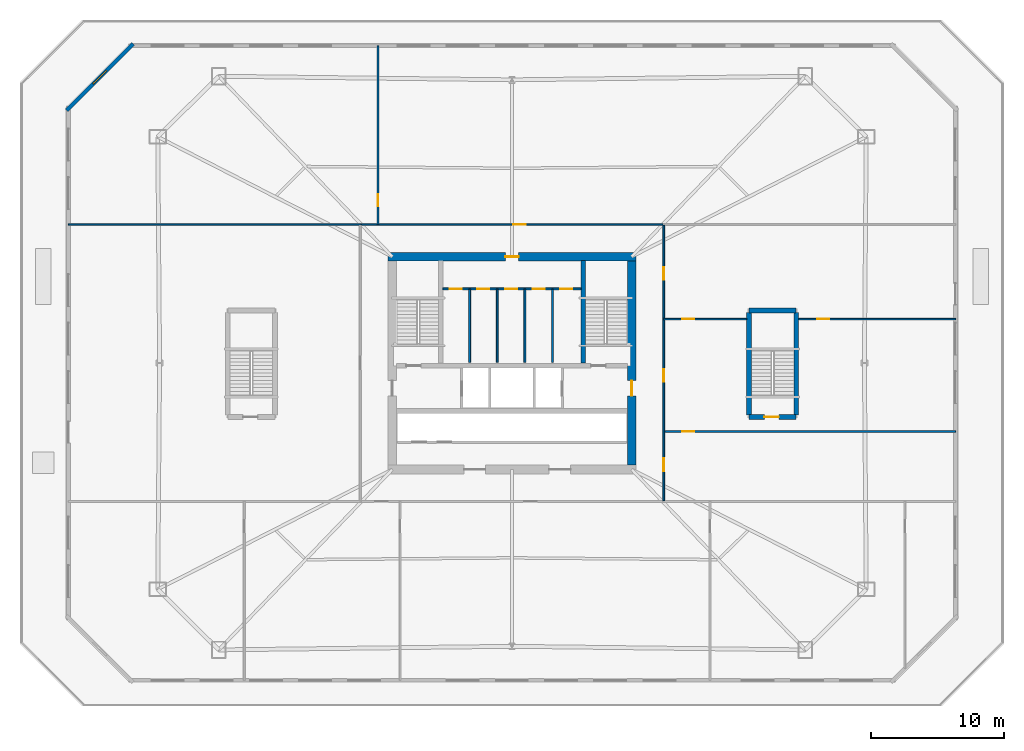
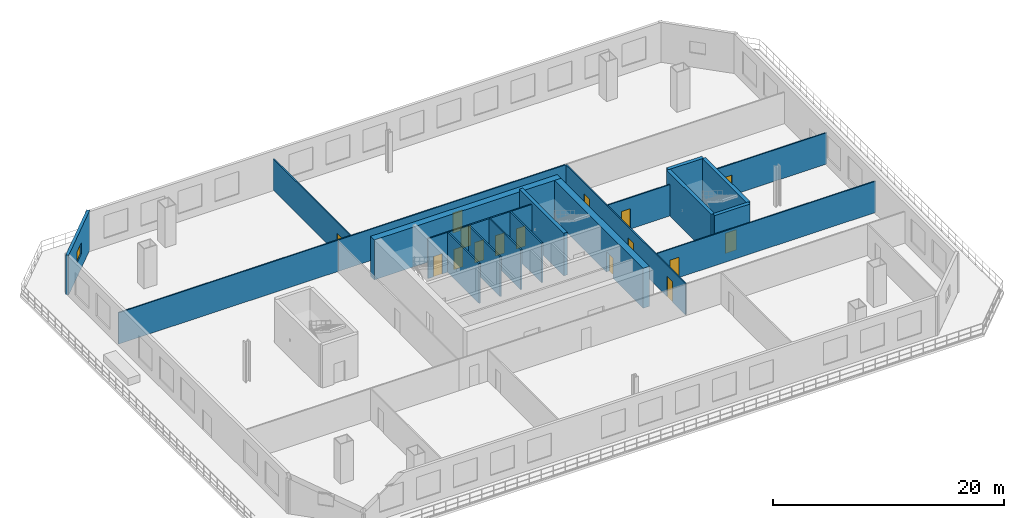
# One storey, part 4 of 10: 20 walls, 16 doors, 1 window, 17 openings.
"""IFC4 building model written with IfcOpenShell, lengths in metres."""

from ifc_helpers import new_model, si_unit, direction, frame, frame_2d, origin, place, context, subcontext, project, spatial, rectangle, extrude, material, layer, layer_set, type_object, element, fill, save


model = new_model("IFC4")

# Units and contexts
model_context = context("Model", 3, precision=1e-05, world=origin(), true_north=direction((0.0, 1.0)))
body_context = subcontext(model_context, "Body", "Model", "MODEL_VIEW")
ifc_project = project(units=[si_unit("LENGTHUNIT", "METRE"), si_unit("AREAUNIT", "SQUARE_METRE"), si_unit("VOLUMEUNIT", "CUBIC_METRE"), si_unit("PLANEANGLEUNIT", "RADIAN"), si_unit("MASSUNIT", "GRAM", prefix="KILO")], contexts=[model_context])

# Site, building, storey
site_placement = place(None, origin())
site = spatial("IfcSite", under=ifc_project, at=site_placement, CompositionType="ELEMENT")
building_placement = place(site_placement, origin())
building = spatial("IfcBuilding", under=site, at=building_placement, Name="Caelvoria Tower", CompositionType="ELEMENT")
storey_placement = place(building_placement, frame((0.0, 0.0, 14.0)))
storey = spatial("IfcBuildingStorey", under=building, at=storey_placement, Name="L03", CompositionType="ELEMENT", Elevation=14.0)

# Wall
ifc_material_1 = material(Name="Concrete C50/60", Category="concrete")
ifc_layer_1 = layer(ifc_material_1, 0.35009765625, Name="Concrete C50/60")
ifc_layer_set_1 = layer_set([ifc_layer_1], Name="Core Internal Shear Wall 350 - Concrete C50/60")
wall_type_1 = type_object("IfcWallType", Name="Core Internal Shear Wall 350", PredefinedType="SHEAR", material=ifc_layer_set_1)
wall_1_placement = place(storey_placement, frame((51.35009765625, 32.0, 0.0), z_axis=(0.0, 0.0, 1.0), x_axis=(0.0, 1.0, 0.0)))
element("IfcWall", 1, at=wall_1_placement, inside=storey, type_object=wall_type_1, Name="Interior Partition IW-L03-ST2W", PredefinedType="SHEAR", context=body_context, shape_type="SweptSolid", body=[
    extrude(rectangle(XDim=7.699951171875, YDim=0.35009765625, at=frame_2d((3.85009765625, 0.0))), origin(), (0.0, 0.0, 1.0), 4.5),
])

# Wall, opening, door
wall_2_placement = place(storey_placement, frame((63.824951171875, 27.949951171875, 0.0), z_axis=(0.0, 0.0, 1.0), x_axis=(1.0, 0.0, 0.0)))
wall_2 = element("IfcWall", 2, at=wall_2_placement, inside=storey, type_object=wall_type_1, Name="Podium Stair Shear Wall L03 ST4 S", PredefinedType="SHEAR", context=body_context, shape_type="SweptSolid", body=[
    extrude(rectangle(XDim=3.550048828125, YDim=0.35009765625, at=frame_2d((1.77490234375, 0.0))), origin(), (0.0, 0.0, 1.0), 4.5),
])
opening_1_placement = place(wall_2_placement, frame((1.14990234375, 0.0, 0.0)))
opening_1 = element("IfcOpeningElement", 3, at=opening_1_placement, cuts=wall_2, Name="Opening ID-01", PredefinedType="OPENING", context=body_context, shape_type="SweptSolid", body=[
    extrude(rectangle(XDim=1.10009765625, YDim=2.14990234375, at=frame_2d((0.550048828125, 1.074951171875))), frame((0.0, 0.18505859375, 0.0), z_axis=(0.0, -1.0, 0.0), x_axis=(1.0, 0.0, 0.0)), (0.0, 0.0, 1.0), 0.3701171875),
])
ifc_material_2 = material(Name="Painted Hollow Steel Fire Door", Category="steel")
door_type_1 = type_object("IfcDoorType", Name="Fire Door FD90S 1100x2150", OperationType="NOTDEFINED", PredefinedType="DOOR", material=ifc_material_2)
door_1_placement = place(opening_1_placement, origin())
door_1 = element("IfcDoor", 4, at=door_1_placement, inside=storey, type_object=door_type_1, Name="Podium Stair Door L03 ST4", OperationType="SINGLE_SWING_RIGHT", OverallHeight=2.14990234375, OverallWidth=1.10009765625, PredefinedType="DOOR", context=body_context, shape_type="SweptSolid", body=[
    extrude(rectangle(XDim=1.10009765625, YDim=2.14990234375, at=frame_2d((0.550048828125, 1.074951171875))), frame((0.0, 0.02490234375, 0.0), z_axis=(0.0, -1.0, 0.0), x_axis=(1.0, 0.0, 0.0)), (0.0, 0.0, 1.0), 0.050048828125),
])
fill(opening_1, door_1)

# Walls
wall_3_placement = place(storey_placement, frame((63.824951171875, 35.949951171875, 0.0), z_axis=(0.0, 0.0, 1.0), x_axis=(1.0, 0.0, 0.0)))
element("IfcWall", 5, at=wall_3_placement, inside=storey, type_object=wall_type_1, Name="Podium Stair Shear Wall L03 ST4 N", PredefinedType="SHEAR", context=body_context, shape_type="SweptSolid", body=[
    extrude(rectangle(XDim=3.550048828125, YDim=0.35009765625, at=frame_2d((1.77490234375, 0.0))), origin(), (0.0, 0.0, 1.0), 4.5),
])
for number, where, z_axis, x_axis, name in (
    (6, (63.824951171875, 28.10009765625, 0.0), (0.0, 0.0, 1.0), (0.0, 1.0, 0.0), "Podium Stair Shear Wall L03 ST4 W"),
    (7, (67.375, 28.10009765625, 0.0), (0.0, 0.0, 1.0), (0.0, 1.0, 0.0), "Podium Stair Shear Wall L03 ST4 E"),
):
    element("IfcWall", number, at=place(storey_placement, frame(where, z_axis=z_axis, x_axis=x_axis)), inside=storey, type_object=wall_type_1, Name=name, PredefinedType="SHEAR", context=body_context, shape_type="SweptSolid", body=[
        extrude(rectangle(XDim=7.699951171875, YDim=0.35009765625, at=frame_2d((3.85009765625, 0.0))), origin(), (0.0, 0.0, 1.0), 4.5),
    ])
ifc_material_3 = material(Name="Moisture-Resistant Gypsum on Steel Stud", Category="steel")
ifc_layer_2 = layer(ifc_material_3, 0.139892578125, Name="Moisture-Resistant Gypsum on Steel Stud")
ifc_layer_set_2 = layer_set([ifc_layer_2], Name="Core Sanitary Acoustic Partition Wall 140 - Moisture-Resistant Gypsum on Steel Stud")
wall_type_2 = type_object("IfcWallType", Name="Core Sanitary Acoustic Partition Wall 140", PredefinedType="PARTITIONING", material=ifc_layer_set_2)
for number, where, z_axis, x_axis, name in (
    (8, (42.81005859375, 32.050048828125, 0.0), (0.0, 0.0, 1.0), (0.0, 1.0, 0.0), "Interior Partition IW-L03-C1V0"),
    (9, (44.889892578125, 32.050048828125, 0.0), (0.0, 0.0, 1.0), (0.0, 1.0, 0.0), "Interior Partition IW-L03-C1V1"),
    (10, (46.969970703125, 32.050048828125, 0.0), (0.0, 0.0, 1.0), (0.0, 1.0, 0.0), "Interior Partition IW-L03-C1V2"),
    (11, (49.050048828125, 32.050048828125, 0.0), (0.0, 0.0, 1.0), (0.0, 1.0, 0.0), "Interior Partition IW-L03-C1V3"),
):
    element("IfcWall", number, at=place(storey_placement, frame(where, z_axis=z_axis, x_axis=x_axis)), inside=storey, type_object=wall_type_2, Name=name, PredefinedType="PARTITIONING", context=body_context, shape_type="SweptSolid", body=[
        extrude(rectangle(XDim=5.5, YDim=0.139892578125, at=frame_2d((2.75, 0.0))), origin(), (0.0, 0.0, 1.0), 4.2099609375),
    ])

# Wall, openings, doors
wall_4_placement = place(storey_placement, frame((40.800048828125, 37.580078125, 0.0), z_axis=(0.0, 0.0, 1.0), x_axis=(1.0, 0.0, 0.0)))
wall_4 = element("IfcWall", 12, at=wall_4_placement, inside=storey, type_object=wall_type_2, Name="Interior Partition IW-L03-C1H", PredefinedType="PARTITIONING", context=body_context, shape_type="SweptSolid", body=[
    extrude(rectangle(XDim=10.39990234375, YDim=0.139892578125, at=frame_2d((5.199951171875, 0.0))), origin(), (0.0, 0.0, 1.0), 4.2099609375),
])
opening_2_placement = place(wall_4_placement, frame((0.52001953125, 0.0, 0.0)))
opening_2 = element("IfcOpeningElement", 13, at=opening_2_placement, cuts=wall_4, Name="Opening ID-06", PredefinedType="OPENING", context=body_context, shape_type="SweptSolid", body=[
    extrude(rectangle(XDim=0.89990234375, YDim=2.14990234375, at=frame_2d((0.449951171875, 1.074951171875))), frame((0.0, 0.079833984375, 0.0), z_axis=(0.0, -1.0, 0.0), x_axis=(1.0, 0.0, 0.0)), (0.0, 0.0, 1.0), 0.159912109375),
])
opening_3_placement = place(wall_4_placement, frame((2.60009765625, 0.0, 0.0)))
opening_3 = element("IfcOpeningElement", 14, at=opening_3_placement, cuts=wall_4, Name="Opening ID-06", PredefinedType="OPENING", context=body_context, shape_type="SweptSolid", body=[
    extrude(rectangle(XDim=0.89990234375, YDim=2.14990234375, at=frame_2d((0.449951171875, 1.074951171875))), frame((0.0, 0.079833984375, 0.0), z_axis=(0.0, -1.0, 0.0), x_axis=(1.0, 0.0, 0.0)), (0.0, 0.0, 1.0), 0.159912109375),
])
opening_4_placement = place(wall_4_placement, frame((4.679931640625, 0.0, 0.0)))
opening_4 = element("IfcOpeningElement", 15, at=opening_4_placement, cuts=wall_4, Name="Opening ID-07", PredefinedType="OPENING", context=body_context, shape_type="SweptSolid", body=[
    extrude(rectangle(XDim=0.919921875, YDim=2.14990234375, at=frame_2d((0.4599609375, 1.074951171875))), frame((0.0, 0.079833984375, 0.0), z_axis=(0.0, -1.0, 0.0), x_axis=(1.0, 0.0, 0.0)), (0.0, 0.0, 1.0), 0.159912109375),
])
opening_5_placement = place(wall_4_placement, frame((6.760009765625, 0.0, 0.0)))
opening_5 = element("IfcOpeningElement", 16, at=opening_5_placement, cuts=wall_4, Name="Opening ID-06", PredefinedType="OPENING", context=body_context, shape_type="SweptSolid", body=[
    extrude(rectangle(XDim=0.89990234375, YDim=2.14990234375, at=frame_2d((0.449951171875, 1.074951171875))), frame((0.0, 0.079833984375, 0.0), z_axis=(0.0, -1.0, 0.0), x_axis=(1.0, 0.0, 0.0)), (0.0, 0.0, 1.0), 0.159912109375),
])
opening_6_placement = place(wall_4_placement, frame((8.840087890625, 0.0, 0.0)))
opening_6 = element("IfcOpeningElement", 17, at=opening_6_placement, cuts=wall_4, Name="Opening ID-06", PredefinedType="OPENING", context=body_context, shape_type="SweptSolid", body=[
    extrude(rectangle(XDim=0.89990234375, YDim=2.14990234375, at=frame_2d((0.449951171875, 1.074951171875))), frame((0.0, 0.079833984375, 0.0), z_axis=(0.0, -1.0, 0.0), x_axis=(1.0, 0.0, 0.0)), (0.0, 0.0, 1.0), 0.159912109375),
])
ifc_material_4 = material(Name="Engineered Andean Oak Accessible Door", Category="wood")
door_type_2 = type_object("IfcDoorType", Name="Accessible WC Door 950x2150", OperationType="NOTDEFINED", PredefinedType="DOOR", material=ifc_material_4)
door_2_placement = place(opening_4_placement, origin())
door_2 = element("IfcDoor", 18, at=door_2_placement, inside=storey, type_object=door_type_2, Name="Interior Door DR-L03-C1-3", OperationType="SINGLE_SWING_LEFT", OverallHeight=2.14990234375, OverallWidth=0.919921875, PredefinedType="DOOR", context=body_context, shape_type="SweptSolid", body=[
    extrude(rectangle(XDim=0.919921875, YDim=2.14990234375, at=frame_2d((0.4599609375, 1.074951171875))), frame((0.0, 0.02490234375, 0.0), z_axis=(0.0, -1.0, 0.0), x_axis=(1.0, 0.0, 0.0)), (0.0, 0.0, 1.0), 0.050048828125),
])
fill(opening_4, door_2)
ifc_material_5 = material(Name="Engineered Andean Oak Veneer Door", Category="wood")
door_type_3 = type_object("IfcDoorType", Name="Interior Timber Door 900x2150", OperationType="NOTDEFINED", PredefinedType="DOOR", material=ifc_material_5)
door_3_placement = place(opening_2_placement, origin())
door_3 = element("IfcDoor", 19, at=door_3_placement, inside=storey, type_object=door_type_3, Name="Interior Door DR-L03-C1-1", OperationType="SINGLE_SWING_LEFT", OverallHeight=2.14990234375, OverallWidth=0.89990234375, PredefinedType="DOOR", context=body_context, shape_type="SweptSolid", body=[
    extrude(rectangle(XDim=0.89990234375, YDim=2.14990234375, at=frame_2d((0.449951171875, 1.074951171875))), frame((0.0, 0.02490234375, 0.0), z_axis=(0.0, -1.0, 0.0), x_axis=(1.0, 0.0, 0.0)), (0.0, 0.0, 1.0), 0.050048828125),
])
fill(opening_2, door_3)
door_4_placement = place(opening_3_placement, origin())
door_4 = element("IfcDoor", 20, at=door_4_placement, inside=storey, type_object=door_type_3, Name="Interior Door DR-L03-C1-2", OperationType="SINGLE_SWING_RIGHT", OverallHeight=2.14990234375, OverallWidth=0.89990234375, PredefinedType="DOOR", context=body_context, shape_type="SweptSolid", body=[
    extrude(rectangle(XDim=0.89990234375, YDim=2.14990234375, at=frame_2d((0.449951171875, 1.074951171875))), frame((0.0, 0.02490234375, 0.0), z_axis=(0.0, -1.0, 0.0), x_axis=(1.0, 0.0, 0.0)), (0.0, 0.0, 1.0), 0.050048828125),
])
fill(opening_3, door_4)
door_5_placement = place(opening_5_placement, origin())
door_5 = element("IfcDoor", 21, at=door_5_placement, inside=storey, type_object=door_type_3, Name="Interior Door DR-L03-C1-4", OperationType="SINGLE_SWING_RIGHT", OverallHeight=2.14990234375, OverallWidth=0.89990234375, PredefinedType="DOOR", context=body_context, shape_type="SweptSolid", body=[
    extrude(rectangle(XDim=0.89990234375, YDim=2.14990234375, at=frame_2d((0.449951171875, 1.074951171875))), frame((0.0, 0.02490234375, 0.0), z_axis=(0.0, -1.0, 0.0), x_axis=(1.0, 0.0, 0.0)), (0.0, 0.0, 1.0), 0.050048828125),
])
fill(opening_5, door_5)
door_6_placement = place(opening_6_placement, origin())
door_6 = element("IfcDoor", 22, at=door_6_placement, inside=storey, type_object=door_type_3, Name="Interior Door DR-L03-C1-5", OperationType="SINGLE_SWING_LEFT", OverallHeight=2.14990234375, OverallWidth=0.89990234375, PredefinedType="DOOR", context=body_context, shape_type="SweptSolid", body=[
    extrude(rectangle(XDim=0.89990234375, YDim=2.14990234375, at=frame_2d((0.449951171875, 1.074951171875))), frame((0.0, 0.02490234375, 0.0), z_axis=(0.0, -1.0, 0.0), x_axis=(1.0, 0.0, 0.0)), (0.0, 0.0, 1.0), 0.050048828125),
])
fill(opening_6, door_6)

# Wall, opening, window
ifc_material_6 = material(Name="Precast Concrete C40/50 with Bronze Cladding", Category="concrete")
ifc_layer_3 = layer(ifc_material_6, 0.280029296875, Name="Precast Concrete C40/50 with Bronze Cladding")
ifc_layer_set_3 = layer_set([ifc_layer_3], Name="Exterior Precast Concrete C40/50 Bronze-Clad Facade Wall 280 - Precast Concrete C40/50 with Bronze Cladding")
wall_type_3 = type_object("IfcWallType", Name="Exterior Precast Concrete C40/50 Bronze-Clad Facade Wall 280", PredefinedType="STANDARD", material=ifc_layer_set_3)
wall_5_placement = place(storey_placement, frame((17.498046875, 56.0, 0.0), z_axis=(0.0, 0.0, 1.0), x_axis=(-0.707106781187, -0.707106781187, 0.0)))
wall_5 = element("IfcWall", 23, at=wall_5_placement, inside=storey, type_object=wall_type_3, Name="Exterior Facade Wall L03-E5", PredefinedType="STANDARD", context=body_context, shape_type="SweptSolid", body=[
    extrude(rectangle(XDim=7.068359375, YDim=0.280029296875, at=frame_2d((3.5341796875, 0.0))), origin(), (0.0, 0.0, 1.0), 4.2099609375),
])
opening_7_placement = place(wall_5_placement, frame((2.833984375, 0.0, 1.5)))
opening_7 = element("IfcOpeningElement", 24, at=opening_7_placement, cuts=wall_5, Name="Opening WN-06", PredefinedType="OPENING", context=body_context, shape_type="SweptSolid", body=[
    extrude(rectangle(XDim=1.39990234375, YDim=1.199951171875, at=frame_2d((0.699951171875, 0.60009765625))), frame((0.0, 0.14990234375, 0.0), z_axis=(0.0, -1.0, 0.0), x_axis=(1.0, 0.0, 0.0)), (0.0, 0.0, 1.0), 0.300048828125),
])
ifc_material_7 = material(Name="Low-E Tinted Glass in Bronze Aluminium Frame", Category="aluminium")
window_type = type_object("IfcWindowType", Name="Podium Clerestory Window 1400x1200", PartitioningType="SINGLE_PANEL", PredefinedType="WINDOW", material=ifc_material_7)
window_placement = place(opening_7_placement, origin())
window = element("IfcWindow", 25, at=window_placement, inside=storey, type_object=window_type, Name="Facade Window L03-E5-00", OverallHeight=1.199951171875, OverallWidth=1.39990234375, PartitioningType="SINGLE_PANEL", PredefinedType="WINDOW", context=body_context, shape_type="SweptSolid", body=[
    extrude(rectangle(XDim=1.39990234375, YDim=1.199951171875, at=frame_2d((0.699951171875, 0.60009765625))), frame((0.0, 0.030029296875, 0.0), z_axis=(0.0, -1.0, 0.0), x_axis=(1.0, 0.0, 0.0)), (0.0, 0.0, 1.0), 0.06005859375),
])
fill(opening_7, window)

# Wall, opening, door
ifc_material_8 = material(Name="Concrete C60/75", Category="concrete")
ifc_layer_4 = layer(ifc_material_8, 0.64990234375, Name="Concrete C60/75")
ifc_layer_set_4 = layer_set([ifc_layer_4], Name="Lower Core Shear Wall 650 - Concrete C60/75")
wall_type_4 = type_object("IfcWallType", Name="Lower Core Shear Wall 650", PredefinedType="SHEAR", material=ifc_layer_set_4)
wall_6_placement = place(storey_placement, frame((36.675048828125, 40.0, 0.0), z_axis=(0.0, 0.0, 1.0), x_axis=(1.0, 0.0, 0.0)))
wall_6 = element("IfcWall", 26, at=wall_6_placement, inside=storey, type_object=wall_type_4, Name="Core Shear Wall L03 N", PredefinedType="SHEAR", context=body_context, shape_type="SweptSolid", body=[
    extrude(rectangle(XDim=18.64990234375, YDim=0.64990234375, at=frame_2d((9.324951171875, 0.0))), origin(), (0.0, 0.0, 1.0), 4.219970703125),
])
opening_8_placement = place(wall_6_placement, frame((8.824951171875, 0.0, 0.0)))
opening_8 = element("IfcOpeningElement", 27, at=opening_8_placement, cuts=wall_6, Name="Opening ID-03", PredefinedType="OPENING", context=body_context, shape_type="SweptSolid", body=[
    extrude(rectangle(XDim=1.0, YDim=2.14990234375, at=frame_2d((0.5, 1.074951171875))), frame((0.0, 0.3349609375, 0.0), z_axis=(0.0, -1.0, 0.0), x_axis=(1.0, 0.0, 0.0)), (0.0, 0.0, 1.0), 0.669921875),
])
door_type_4 = type_object("IfcDoorType", Name="Fire Door FD60S 1000x2150", OperationType="NOTDEFINED", PredefinedType="DOOR", material=ifc_material_2)
door_7_placement = place(opening_8_placement, origin())
door_7 = element("IfcDoor", 28, at=door_7_placement, inside=storey, type_object=door_type_4, Name="Core Door DR-L03-WC-MAIN", OperationType="SINGLE_SWING_RIGHT", OverallHeight=2.14990234375, OverallWidth=1.0, PredefinedType="DOOR", context=body_context, shape_type="SweptSolid", body=[
    extrude(rectangle(XDim=1.0, YDim=2.14990234375, at=frame_2d((0.5, 1.074951171875))), frame((0.0, 0.02490234375, 0.0), z_axis=(0.0, -1.0, 0.0), x_axis=(1.0, 0.0, 0.0)), (0.0, 0.0, 1.0), 0.050048828125),
])
fill(opening_8, door_7)

wall_7_placement = place(storey_placement, frame((55.0, 24.324951171875, 0.0), z_axis=(0.0, 0.0, 1.0), x_axis=(0.0, 1.0, 0.0)))
wall_7 = element("IfcWall", 29, at=wall_7_placement, inside=storey, type_object=wall_type_4, Name="Core Shear Wall L03 E", PredefinedType="SHEAR", context=body_context, shape_type="SweptSolid", body=[
    extrude(rectangle(XDim=15.35009765625, YDim=0.64990234375, at=frame_2d((7.675048828125, 0.0))), origin(), (0.0, 0.0, 1.0), 4.219970703125),
])
opening_9_placement = place(wall_7_placement, frame((5.199951171875, 0.0, 0.0)))
opening_9 = element("IfcOpeningElement", 30, at=opening_9_placement, cuts=wall_7, Name="Opening ID-02", PredefinedType="OPENING", context=body_context, shape_type="SweptSolid", body=[
    extrude(rectangle(XDim=1.14990234375, YDim=2.14990234375, at=frame_2d((0.574951171875, 1.074951171875))), frame((0.0, 0.3349609375, 0.0), z_axis=(0.0, -1.0, 0.0), x_axis=(1.0, 0.0, 0.0)), (0.0, 0.0, 1.0), 0.669921875),
])
door_type_5 = type_object("IfcDoorType", Name="Fire Door FD60S 1150x2150", OperationType="NOTDEFINED", PredefinedType="DOOR", material=ifc_material_2)
door_8_placement = place(opening_9_placement, origin())
door_8 = element("IfcDoor", 31, at=door_8_placement, inside=storey, type_object=door_type_5, Name="Core Door DR-L03-FFLE-OUT", OperationType="SINGLE_SWING_RIGHT", OverallHeight=2.14990234375, OverallWidth=1.14990234375, PredefinedType="DOOR", context=body_context, shape_type="SweptSolid", body=[
    extrude(rectangle(XDim=1.14990234375, YDim=2.14990234375, at=frame_2d((0.574951171875, 1.074951171875))), frame((0.0, 0.02490234375, 0.0), z_axis=(0.0, -1.0, 0.0), x_axis=(1.0, 0.0, 0.0)), (0.0, 0.0, 1.0), 0.050048828125),
])
fill(opening_9, door_8)

ifc_material_9 = material(Name="Acoustic Gypsum Board on Light-Gauge Stud", Category="gypsum")
ifc_layer_5 = layer(ifc_material_9, 0.1201171875, Name="Acoustic Gypsum Board on Light-Gauge Stud")
ifc_layer_set_5 = layer_set([ifc_layer_5], Name="Tenant Suite Acoustic Partition Wall 120 - Acoustic Gypsum Board on Light-Gauge Stud")
wall_type_5 = type_object("IfcWallType", Name="Tenant Suite Acoustic Partition Wall 120", PredefinedType="PARTITIONING", material=ifc_layer_set_5)
wall_8_placement = place(storey_placement, frame((35.923095703125, 42.409912109375, 0.0), z_axis=(0.0, 0.0, 1.0), x_axis=(0.0, 1.0, 0.0)))
wall_8 = element("IfcWall", 32, at=wall_8_placement, inside=storey, type_object=wall_type_5, Name="Interior Partition IW-L03-ND-00-0", PredefinedType="PARTITIONING", context=body_context, shape_type="SweptSolid", body=[
    extrude(rectangle(XDim=13.4501953125, YDim=0.1201171875, at=frame_2d((6.72509765625, 0.0))), origin(), (0.0, 0.0, 1.0), 3.31005859375),
])
opening_10_placement = place(wall_8_placement, frame((1.39990234375, 0.0, 0.0)))
opening_10 = element("IfcOpeningElement", 33, at=opening_10_placement, cuts=wall_8, Name="Opening ID-06", PredefinedType="OPENING", context=body_context, shape_type="SweptSolid", body=[
    extrude(rectangle(XDim=0.89990234375, YDim=2.14990234375, at=frame_2d((0.449951171875, 1.074951171875))), frame((0.0, 0.070068359375, 0.0), z_axis=(0.0, -1.0, 0.0), x_axis=(1.0, 0.0, 0.0)), (0.0, 0.0, 1.0), 0.14013671875),
])
door_9_placement = place(opening_10_placement, origin())
door_9 = element("IfcDoor", 34, at=door_9_placement, inside=storey, type_object=door_type_3, Name="Interior Door DR-L03-NM-00-0", OperationType="SINGLE_SWING_RIGHT", OverallHeight=2.14990234375, OverallWidth=0.89990234375, PredefinedType="DOOR", context=body_context, shape_type="SweptSolid", body=[
    extrude(rectangle(XDim=0.89990234375, YDim=2.14990234375, at=frame_2d((0.449951171875, 1.074951171875))), frame((0.0, 0.02490234375, 0.0), z_axis=(0.0, -1.0, 0.0), x_axis=(1.0, 0.0, 0.0)), (0.0, 0.0, 1.0), 0.050048828125),
])
fill(opening_10, door_9)

wall_9_placement = place(storey_placement, frame((34.64990234375, 42.409912109375, 0.0), z_axis=(0.0, 0.0, 1.0), x_axis=(1.0, 0.0, 0.0)))
wall_9 = element("IfcWall", 35, at=wall_9_placement, inside=storey, type_object=wall_type_5, Name="Interior Partition IW-L03-NCW-0", PredefinedType="PARTITIONING", context=body_context, shape_type="SweptSolid", body=[
    extrude(rectangle(XDim=22.7001953125, YDim=0.1201171875, at=frame_2d((11.35009765625, 0.0))), origin(), (0.0, 0.0, 1.0), 3.31005859375),
])
opening_11_placement = place(wall_9_placement, frame((11.44140625, 0.0, 0.0)))
opening_11 = element("IfcOpeningElement", 36, at=opening_11_placement, cuts=wall_9, Name="Opening ID-05", PredefinedType="OPENING", context=body_context, shape_type="SweptSolid", body=[
    extrude(rectangle(XDim=0.949951171875, YDim=2.14990234375, at=frame_2d((0.47509765625, 1.074951171875))), frame((0.0, 0.070068359375, 0.0), z_axis=(0.0, -1.0, 0.0), x_axis=(1.0, 0.0, 0.0)), (0.0, 0.0, 1.0), 0.14013671875),
])
door_type_6 = type_object("IfcDoorType", Name="Interior Timber Door 950x2150", OperationType="NOTDEFINED", PredefinedType="DOOR", material=ifc_material_5)
door_10_placement = place(opening_11_placement, origin())
door_10 = element("IfcDoor", 37, at=door_10_placement, inside=storey, type_object=door_type_6, Name="Interior Door DR-L03-NC-01-0", OperationType="SINGLE_SWING_LEFT", OverallHeight=2.14990234375, OverallWidth=0.949951171875, PredefinedType="DOOR", context=body_context, shape_type="SweptSolid", body=[
    extrude(rectangle(XDim=0.949951171875, YDim=2.14990234375, at=frame_2d((0.47509765625, 1.074951171875))), frame((0.0, 0.02490234375, 0.0), z_axis=(0.0, -1.0, 0.0), x_axis=(1.0, 0.0, 0.0)), (0.0, 0.0, 1.0), 0.050048828125),
])
fill(opening_11, door_10)

wall_10_placement = place(storey_placement, frame((57.409912109375, 26.852294921875, 0.0), z_axis=(0.0, 0.0, 1.0), x_axis=(1.0, 0.0, 0.0)))
wall_10 = element("IfcWall", 38, at=wall_10_placement, inside=storey, type_object=wall_type_5, Name="Interior Partition IW-L03-ED-00-0", PredefinedType="PARTITIONING", context=body_context, shape_type="SweptSolid", body=[
    extrude(rectangle(XDim=21.9501953125, YDim=0.1201171875, at=frame_2d((10.97509765625, 0.0))), origin(), (0.0, 0.0, 1.0), 3.31005859375),
])
opening_12_placement = place(wall_10_placement, frame((1.39990234375, 0.0, 0.0)))
opening_12 = element("IfcOpeningElement", 39, at=opening_12_placement, cuts=wall_10, Name="Opening ID-06", PredefinedType="OPENING", context=body_context, shape_type="SweptSolid", body=[
    extrude(rectangle(XDim=0.89990234375, YDim=2.14990234375, at=frame_2d((0.449951171875, 1.074951171875))), frame((0.0, 0.070068359375, 0.0), z_axis=(0.0, -1.0, 0.0), x_axis=(1.0, 0.0, 0.0)), (0.0, 0.0, 1.0), 0.14013671875),
])
door_11_placement = place(opening_12_placement, origin())
door_11 = element("IfcDoor", 40, at=door_11_placement, inside=storey, type_object=door_type_3, Name="Interior Door DR-L03-EM-00-0", OperationType="SINGLE_SWING_RIGHT", OverallHeight=2.14990234375, OverallWidth=0.89990234375, PredefinedType="DOOR", context=body_context, shape_type="SweptSolid", body=[
    extrude(rectangle(XDim=0.89990234375, YDim=2.14990234375, at=frame_2d((0.449951171875, 1.074951171875))), frame((0.0, 0.02490234375, 0.0), z_axis=(0.0, -1.0, 0.0), x_axis=(1.0, 0.0, 0.0)), (0.0, 0.0, 1.0), 0.050048828125),
])
fill(opening_12, door_11)

wall_11_placement = place(storey_placement, frame((57.409912109375, 35.3056640625, 0.0), z_axis=(0.0, 0.0, 1.0), x_axis=(1.0, 0.0, 0.0)))
wall_11 = element("IfcWall", 41, at=wall_11_placement, inside=storey, type_object=wall_type_5, Name="Interior Partition IW-L03-ED-01-0", PredefinedType="PARTITIONING", context=body_context, shape_type="SweptSolid", body=[
    extrude(rectangle(XDim=6.239990234375, YDim=0.1201171875, at=frame_2d((3.1201171875, 0.0))), origin(), (0.0, 0.0, 1.0), 3.31005859375),
])
opening_13_placement = place(wall_11_placement, frame((1.39990234375, 0.0, 0.0)))
opening_13 = element("IfcOpeningElement", 42, at=opening_13_placement, cuts=wall_11, Name="Opening ID-06", PredefinedType="OPENING", context=body_context, shape_type="SweptSolid", body=[
    extrude(rectangle(XDim=0.89990234375, YDim=2.14990234375, at=frame_2d((0.449951171875, 1.074951171875))), frame((0.0, 0.070068359375, 0.0), z_axis=(0.0, -1.0, 0.0), x_axis=(1.0, 0.0, 0.0)), (0.0, 0.0, 1.0), 0.14013671875),
])
door_12_placement = place(opening_13_placement, origin())
door_12 = element("IfcDoor", 43, at=door_12_placement, inside=storey, type_object=door_type_3, Name="Interior Door DR-L03-EM-01-0", OperationType="SINGLE_SWING_LEFT", OverallHeight=2.14990234375, OverallWidth=0.89990234375, PredefinedType="DOOR", context=body_context, shape_type="SweptSolid", body=[
    extrude(rectangle(XDim=0.89990234375, YDim=2.14990234375, at=frame_2d((0.449951171875, 1.074951171875))), frame((0.0, 0.02490234375, 0.0), z_axis=(0.0, -1.0, 0.0), x_axis=(1.0, 0.0, 0.0)), (0.0, 0.0, 1.0), 0.050048828125),
])
fill(opening_13, door_12)

wall_12_placement = place(storey_placement, frame((67.550048828125, 35.3056640625, 0.0), z_axis=(0.0, 0.0, 1.0), x_axis=(1.0, 0.0, 0.0)))
wall_12 = element("IfcWall", 44, at=wall_12_placement, inside=storey, type_object=wall_type_5, Name="Interior Partition IW-L03-ED-01-1", PredefinedType="PARTITIONING", context=body_context, shape_type="SweptSolid", body=[
    extrude(rectangle(XDim=11.81005859375, YDim=0.1201171875, at=frame_2d((5.905029296875, 0.0))), origin(), (0.0, 0.0, 1.0), 3.31005859375),
])
opening_14_placement = place(wall_12_placement, frame((1.39990234375, 0.0, 0.0)))
opening_14 = element("IfcOpeningElement", 45, at=opening_14_placement, cuts=wall_12, Name="Opening ID-06", PredefinedType="OPENING", context=body_context, shape_type="SweptSolid", body=[
    extrude(rectangle(XDim=0.89990234375, YDim=2.14990234375, at=frame_2d((0.449951171875, 1.074951171875))), frame((0.0, 0.070068359375, 0.0), z_axis=(0.0, -1.0, 0.0), x_axis=(1.0, 0.0, 0.0)), (0.0, 0.0, 1.0), 0.14013671875),
])
door_13_placement = place(opening_14_placement, origin())
door_13 = element("IfcDoor", 46, at=door_13_placement, inside=storey, type_object=door_type_3, Name="Interior Door DR-L03-EM-01-1", OperationType="SINGLE_SWING_LEFT", OverallHeight=2.14990234375, OverallWidth=0.89990234375, PredefinedType="DOOR", context=body_context, shape_type="SweptSolid", body=[
    extrude(rectangle(XDim=0.89990234375, YDim=2.14990234375, at=frame_2d((0.449951171875, 1.074951171875))), frame((0.0, 0.02490234375, 0.0), z_axis=(0.0, -1.0, 0.0), x_axis=(1.0, 0.0, 0.0)), (0.0, 0.0, 1.0), 0.050048828125),
])
fill(opening_14, door_13)

# Wall, openings, doors
wall_13_placement = place(storey_placement, frame((57.409912109375, 21.64990234375, 0.0), z_axis=(0.0, 0.0, 1.0), x_axis=(0.0, 1.0, 0.0)))
wall_13 = element("IfcWall", 47, at=wall_13_placement, inside=storey, type_object=wall_type_5, Name="Interior Partition IW-L03-ECW-0", PredefinedType="PARTITIONING", context=body_context, shape_type="SweptSolid", body=[
    extrude(rectangle(XDim=20.7001953125, YDim=0.1201171875, at=frame_2d((10.35009765625, 0.0))), origin(), (0.0, 0.0, 1.0), 3.31005859375),
])
opening_15_placement = place(wall_13_placement, frame((2.22607421875, 0.0, 0.0)))
opening_15 = element("IfcOpeningElement", 48, at=opening_15_placement, cuts=wall_13, Name="Opening ID-05", PredefinedType="OPENING", context=body_context, shape_type="SweptSolid", body=[
    extrude(rectangle(XDim=0.949951171875, YDim=2.14990234375, at=frame_2d((0.47509765625, 1.074951171875))), frame((0.0, 0.070068359375, 0.0), z_axis=(0.0, -1.0, 0.0), x_axis=(1.0, 0.0, 0.0)), (0.0, 0.0, 1.0), 0.14013671875),
])
opening_16_placement = place(wall_13_placement, frame((8.9541015625, 0.0, 0.0)))
opening_16 = element("IfcOpeningElement", 49, at=opening_16_placement, cuts=wall_13, Name="Opening ID-05", PredefinedType="OPENING", context=body_context, shape_type="SweptSolid", body=[
    extrude(rectangle(XDim=0.949951171875, YDim=2.14990234375, at=frame_2d((0.47509765625, 1.074951171875))), frame((0.0, 0.070068359375, 0.0), z_axis=(0.0, -1.0, 0.0), x_axis=(1.0, 0.0, 0.0)), (0.0, 0.0, 1.0), 0.14013671875),
])
opening_17_placement = place(wall_13_placement, frame((16.602783203125, 0.0, 0.0)))
opening_17 = element("IfcOpeningElement", 50, at=opening_17_placement, cuts=wall_13, Name="Opening ID-05", PredefinedType="OPENING", context=body_context, shape_type="SweptSolid", body=[
    extrude(rectangle(XDim=0.949951171875, YDim=2.14990234375, at=frame_2d((0.47509765625, 1.074951171875))), frame((0.0, 0.070068359375, 0.0), z_axis=(0.0, -1.0, 0.0), x_axis=(1.0, 0.0, 0.0)), (0.0, 0.0, 1.0), 0.14013671875),
])
door_14_placement = place(opening_15_placement, origin())
door_14 = element("IfcDoor", 51, at=door_14_placement, inside=storey, type_object=door_type_6, Name="Interior Door DR-L03-EC-00-0", OperationType="SINGLE_SWING_RIGHT", OverallHeight=2.14990234375, OverallWidth=0.949951171875, PredefinedType="DOOR", context=body_context, shape_type="SweptSolid", body=[
    extrude(rectangle(XDim=0.949951171875, YDim=2.14990234375, at=frame_2d((0.47509765625, 1.074951171875))), frame((0.0, 0.02490234375, 0.0), z_axis=(0.0, -1.0, 0.0), x_axis=(1.0, 0.0, 0.0)), (0.0, 0.0, 1.0), 0.050048828125),
])
fill(opening_15, door_14)
door_15_placement = place(opening_16_placement, origin())
door_15 = element("IfcDoor", 52, at=door_15_placement, inside=storey, type_object=door_type_6, Name="Interior Door DR-L03-EC-01-0", OperationType="SINGLE_SWING_LEFT", OverallHeight=2.14990234375, OverallWidth=0.949951171875, PredefinedType="DOOR", context=body_context, shape_type="SweptSolid", body=[
    extrude(rectangle(XDim=0.949951171875, YDim=2.14990234375, at=frame_2d((0.47509765625, 1.074951171875))), frame((0.0, 0.02490234375, 0.0), z_axis=(0.0, -1.0, 0.0), x_axis=(1.0, 0.0, 0.0)), (0.0, 0.0, 1.0), 0.050048828125),
])
fill(opening_16, door_15)
door_16_placement = place(opening_17_placement, origin())
door_16 = element("IfcDoor", 53, at=door_16_placement, inside=storey, type_object=door_type_6, Name="Interior Door DR-L03-EC-02-0", OperationType="SINGLE_SWING_RIGHT", OverallHeight=2.14990234375, OverallWidth=0.949951171875, PredefinedType="DOOR", context=body_context, shape_type="SweptSolid", body=[
    extrude(rectangle(XDim=0.949951171875, YDim=2.14990234375, at=frame_2d((0.47509765625, 1.074951171875))), frame((0.0, 0.02490234375, 0.0), z_axis=(0.0, -1.0, 0.0), x_axis=(1.0, 0.0, 0.0)), (0.0, 0.0, 1.0), 0.050048828125),
])
fill(opening_17, door_16)

# Wall
wall_14_placement = place(storey_placement, frame((34.64990234375, 42.409912109375, 0.0), z_axis=(0.0, 0.0, 1.0), x_axis=(-1.0, 0.0, 0.0)))
element("IfcWall", 54, at=wall_14_placement, inside=storey, type_object=wall_type_5, Name="Interior Partition IW-L03-BNW-0", PredefinedType="PARTITIONING", context=body_context, shape_type="SweptSolid", body=[
    extrude(rectangle(XDim=22.010009765625, YDim=0.1201171875, at=frame_2d((11.0048828125, 0.0))), origin(), (0.0, 0.0, 1.0), 3.31005859375),
])

save(model, "model.ifc")
